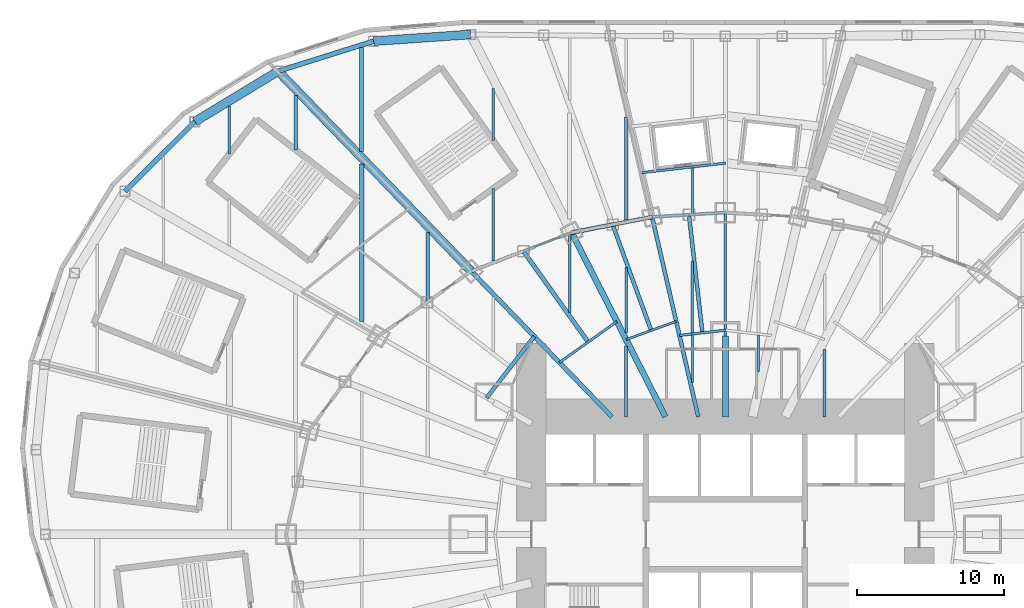
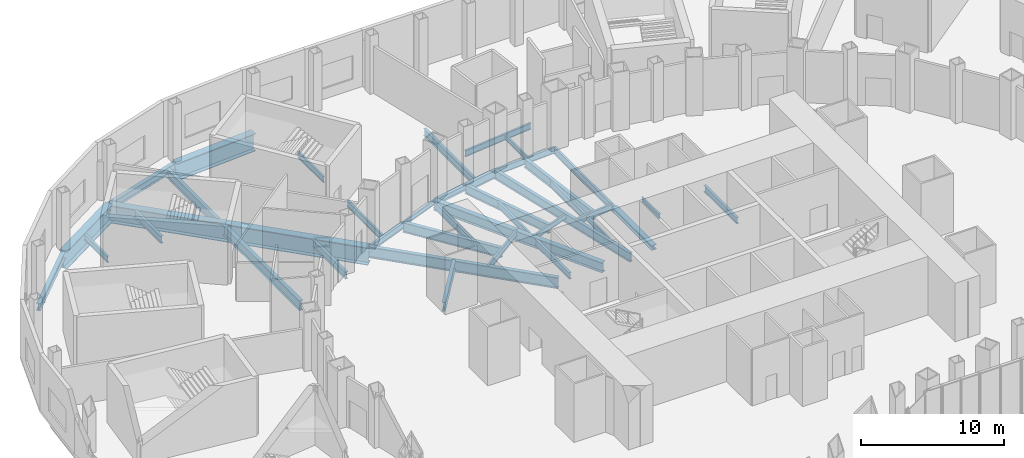
# One storey, part 6 of 73: 40 beams.
"""IFC4 building model written with IfcOpenShell, lengths in metres."""

from ifc_helpers import new_model, si_unit, direction, frame, origin, origin_2d, place, context, subcontext, project, spatial, i_section, extrude, material, material_profile, profile_set, type_object, element, save


model = new_model("IFC4")

# Units and contexts
model_context = context("Model", 3, precision=1e-05, world=origin(), true_north=direction((0.0, 1.0)))
body_context = subcontext(model_context, "Body", "Model", "MODEL_VIEW")
ifc_project = project(units=[si_unit("LENGTHUNIT", "METRE"), si_unit("AREAUNIT", "SQUARE_METRE"), si_unit("VOLUMEUNIT", "CUBIC_METRE"), si_unit("PLANEANGLEUNIT", "RADIAN"), si_unit("MASSUNIT", "GRAM", prefix="KILO")], contexts=[model_context])

# Site, building, storey
site_placement = place(None, origin())
site = spatial("IfcSite", under=ifc_project, at=site_placement, CompositionType="ELEMENT")
building_placement = place(site_placement, origin())
building = spatial("IfcBuilding", under=site, at=building_placement, Name="Lantaw Convention Tower", CompositionType="ELEMENT")
storey_placement = place(building_placement, frame((0.0, 0.0, 22.0)))
storey = spatial("IfcBuildingStorey", under=building, at=storey_placement, Name="L03", CompositionType="ELEMENT", Elevation=22.0)

# Beams
ifc_material_1 = material(Name="Steel ASTM A572 Grade 50", Category="steel")
ifc_material_profile_1 = material_profile(ifc_material_1, i_section(OverallWidth=0.60009765625, OverallDepth=1.5, WebThickness=0.02490234375, FlangeThickness=0.06005859375, at=origin_2d()), Name="PG1500X600X25X60")
ifc_profile_set_1 = profile_set([ifc_material_profile_1], Name="Steel ASTM A572 Grade 50")
beam_type_1 = type_object("IfcBeamType", Name="Beam E PG1500X600X25X60", PredefinedType="SPANDREL", material=ifc_profile_set_1)
beam_1_placement = place(storey_placement, frame((-17.333984375, 34.019775390625, -0.949951171875), z_axis=(-0.997615470709, -0.069017190627, 0.0), x_axis=(0.069017190627, -0.997615470709, 0.0)))
element("IfcBeam", 1, at=beam_1_placement, inside=storey, type_object=beam_type_1, Name="Podium edge beam R08", PredefinedType="SPANDREL", context=body_context, shape_type="SweptSolid", body=[
    extrude(i_section(OverallWidth=0.60009765625, OverallDepth=1.5, WebThickness=0.02490234375, FlangeThickness=0.06005859375, at=origin_2d()), origin(), (0.0, 0.0, 1.0), 6.6220703125),
])
beam_2_placement = place(storey_placement, frame((-30.43603515625, 31.517578125, -0.949951171875), z_axis=(-0.855269526547, -0.518183400893, 0.0), x_axis=(0.518183400893, -0.855269526547, 0.0)))
element("IfcBeam", 2, at=beam_2_placement, inside=storey, type_object=beam_type_1, Name="Podium edge beam R09", PredefinedType="SPANDREL", context=body_context, shape_type="SweptSolid", body=[
    extrude(i_section(OverallWidth=0.60009765625, OverallDepth=1.5, WebThickness=0.02490234375, FlangeThickness=0.06005859375, at=origin_2d()), origin(), (0.0, 0.0, 1.0), 6.63134765625),
])
ifc_material_2 = material(Name="Steel ASTM A992", Category="steel")
ifc_material_profile_2 = material_profile(ifc_material_2, i_section(OverallWidth=0.140380859375, OverallDepth=0.40380859375, WebThickness=0.007080078125, FlangeThickness=0.01123046875, FilletRadius=0.01025390625, at=origin_2d()), Name="W16X31")
ifc_profile_set_2 = profile_set([ifc_material_profile_2], Name="Steel ASTM A992")
beam_type_2 = type_object("IfcBeamType", Name="Beam E W16X31", PredefinedType="SPANDREL", material=ifc_profile_set_2)
beam_3_placement = place(storey_placement, frame((-10.462646484375, 20.533935546875, -0.40185546875), z_axis=(-0.933241815012, -0.359248820058, 0.0), x_axis=(0.359248820058, -0.933241815012, 0.0)))
element("IfcBeam", 3, at=beam_3_placement, inside=storey, type_object=beam_type_2, Name="Edge beam 9", PredefinedType="SPANDREL", context=body_context, shape_type="SweptSolid", body=[
    extrude(i_section(OverallWidth=0.140380859375, OverallDepth=0.40380859375, WebThickness=0.007080078125, FlangeThickness=0.01123046875, FilletRadius=0.01025390625, at=origin_2d()), origin(), (0.0, 0.0, 1.0), 3.517578125),
])
ifc_material_profile_3 = material_profile(ifc_material_2, i_section(OverallWidth=0.279296875, OverallDepth=0.462158203125, WebThickness=0.0107421875, FlangeThickness=0.017333984375, FilletRadius=0.01025390625, at=origin_2d()), Name="W18X76")
ifc_profile_set_3 = profile_set([ifc_material_profile_3], Name="Steel ASTM A992")
beam_type_3 = type_object("IfcBeamType", Name="Beam E W18X76", PredefinedType="SPANDREL", material=ifc_profile_set_3)
beam_4_placement = place(storey_placement, frame((-7.671142578125, 21.076416015625, -0.43115234375), z_axis=(-0.98163593748, -0.190763954266, 0.0), x_axis=(0.190763954266, -0.98163593748, 0.0)))
element("IfcBeam", 4, at=beam_4_placement, inside=storey, type_object=beam_type_3, Name="Edge beam 8", PredefinedType="SPANDREL", context=body_context, shape_type="SweptSolid", body=[
    extrude(i_section(OverallWidth=0.279296875, OverallDepth=0.462158203125, WebThickness=0.0107421875, FlangeThickness=0.017333984375, FilletRadius=0.01025390625, at=origin_2d()), origin(), (0.0, 0.0, 1.0), 2.84375),
])
ifc_material_profile_4 = material_profile(ifc_material_2, i_section(OverallWidth=0.16650390625, OverallDepth=0.535888671875, WebThickness=0.01025390625, FlangeThickness=0.0166015625, FilletRadius=0.0126953125, at=origin_2d()), Name="W21X57")
ifc_profile_set_4 = profile_set([ifc_material_profile_4], Name="Steel ASTM A992")
beam_type_4 = type_object("IfcBeamType", Name="Beam E W21X57", PredefinedType="SPANDREL", material=ifc_profile_set_4)
beam_5_placement = place(storey_placement, frame((0.0, 21.89990234375, -0.468017578125), z_axis=(-0.998175328335, -0.060382231685, 0.0), x_axis=(0.060382231685, -0.998175328335, 0.0)))
element("IfcBeam", 5, at=beam_5_placement, inside=storey, type_object=beam_type_4, Name="Edge beam 7", PredefinedType="SPANDREL", context=body_context, shape_type="SweptSolid", body=[
    extrude(i_section(OverallWidth=0.16650390625, OverallDepth=0.535888671875, WebThickness=0.01025390625, FlangeThickness=0.0166015625, FilletRadius=0.0126953125, at=origin_2d()), origin(), (0.0, 0.0, 1.0), 2.482666015625),
])
beam_6_placement = place(storey_placement, frame((-2.47802734375, 21.75, -0.468017578125), z_axis=(-0.998172405641, -0.060430527186, 0.0), x_axis=(0.060430527186, -0.998172405641, 0.0)))
element("IfcBeam", 6, at=beam_6_placement, inside=storey, type_object=beam_type_4, Name="Edge beam 7", PredefinedType="SPANDREL", context=body_context, shape_type="SweptSolid", body=[
    extrude(i_section(OverallWidth=0.16650390625, OverallDepth=0.535888671875, WebThickness=0.01025390625, FlangeThickness=0.0166015625, FilletRadius=0.0126953125, at=origin_2d()), origin(), (0.0, 0.0, 1.0), 2.512939453125),
])
ifc_material_profile_5 = material_profile(ifc_material_2, i_section(OverallWidth=0.2099609375, OverallDepth=0.535888671875, WebThickness=0.010986328125, FlangeThickness=0.017333984375, FilletRadius=0.012939453125, at=origin_2d()), Name="W21X68")
ifc_profile_set_5 = profile_set([ifc_material_profile_5], Name="Steel ASTM A992")
beam_type_5 = type_object("IfcBeamType", Name="Beam E W21X68", PredefinedType="SPANDREL", material=ifc_profile_set_5)
beam_7_placement = place(storey_placement, frame((-13.745361328125, 19.270263671875, -0.468017578125), z_axis=(-0.933224646415, -0.359293416754, 0.0), x_axis=(0.359293416754, -0.933224646415, 0.0)))
element("IfcBeam", 7, at=beam_7_placement, inside=storey, type_object=beam_type_5, Name="Edge beam 9", PredefinedType="SPANDREL", context=body_context, shape_type="SweptSolid", body=[
    extrude(i_section(OverallWidth=0.2099609375, OverallDepth=0.535888671875, WebThickness=0.010986328125, FlangeThickness=0.017333984375, FilletRadius=0.012939453125, at=origin_2d()), origin(), (0.0, 0.0, 1.0), 3.799072265625),
])
ifc_material_profile_6 = material_profile(ifc_material_2, i_section(OverallWidth=0.3251953125, OverallDepth=0.612060546875, WebThickness=0.0126953125, FlangeThickness=0.01904296875, FilletRadius=0.0126953125, at=origin_2d()), Name="W24X104")
ifc_profile_set_6 = profile_set([ifc_material_profile_6], Name="Steel ASTM A992")
beam_type_6 = type_object("IfcBeamType", Name="Beam E W24X104", PredefinedType="SPANDREL", material=ifc_profile_set_6)
beam_8_placement = place(storey_placement, frame((-23.940185546875, 33.562744140625, -0.506103515625), z_axis=(-0.953841834513, -0.300309431643, 0.0), x_axis=(0.300309431643, -0.953841834513, 0.0)))
element("IfcBeam", 8, at=beam_8_placement, inside=storey, type_object=beam_type_6, Name="Podium edge beam B08", PredefinedType="SPANDREL", context=body_context, shape_type="SweptSolid", body=[
    extrude(i_section(OverallWidth=0.3251953125, OverallDepth=0.612060546875, WebThickness=0.0126953125, FlangeThickness=0.01904296875, FilletRadius=0.0126953125, at=origin_2d()), origin(), (0.0, 0.0, 1.0), 6.810302734375),
])
beam_9_placement = place(storey_placement, frame((-36.107666015625, 28.081298828125, -0.506103515625), z_axis=(-0.709033046271, -0.705175254314, 0.0), x_axis=(0.705175254314, -0.709033046271, 0.0)))
element("IfcBeam", 9, at=beam_9_placement, inside=storey, type_object=beam_type_6, Name="Podium edge beam B09", PredefinedType="SPANDREL", context=body_context, shape_type="SweptSolid", body=[
    extrude(i_section(OverallWidth=0.3251953125, OverallDepth=0.612060546875, WebThickness=0.0126953125, FlangeThickness=0.01904296875, FilletRadius=0.0126953125, at=origin_2d()), origin(), (0.0, 0.0, 1.0), 6.708251953125),
])
ifc_material_profile_7 = material_profile(ifc_material_2, i_section(OverallWidth=0.256591796875, OverallDepth=0.693359375, WebThickness=0.014404296875, FlangeThickness=0.023681640625, FilletRadius=0.01513671875, at=origin_2d()), Name="W27X114")
ifc_profile_set_7 = profile_set([ifc_material_profile_7], Name="Steel ASTM A992")
beam_type_7 = type_object("IfcBeamType", Name="Beam E W27X114", PredefinedType="SPANDREL", material=ifc_profile_set_7)
beam_10_placement = place(storey_placement, frame((-4.986328125, 21.59814453125, -0.546630859375), z_axis=(-0.981637218105, -0.190757364289, 0.0), x_axis=(0.190757364289, -0.981637218105, 0.0)))
element("IfcBeam", 10, at=beam_10_placement, inside=storey, type_object=beam_type_7, Name="Edge beam 8", PredefinedType="SPANDREL", context=body_context, shape_type="SweptSolid", body=[
    extrude(i_section(OverallWidth=0.256591796875, OverallDepth=0.693359375, WebThickness=0.014404296875, FlangeThickness=0.023681640625, FilletRadius=0.01513671875, at=origin_2d()), origin(), (0.0, 0.0, 1.0), 2.735107421875),
])
ifc_material_profile_8 = material_profile(ifc_material_2, i_section(OverallWidth=0.177978515625, OverallDepth=0.599365234375, WebThickness=0.010009765625, FlangeThickness=0.012939453125, FilletRadius=0.012939453125, at=origin_2d()), Name="W24X55")
ifc_profile_set_8 = profile_set([ifc_material_profile_8], Name="Steel ASTM A992")
beam_type_8 = type_object("IfcBeamType", Name="Beam G W24X55", PredefinedType="BEAM", material=ifc_profile_set_8)
beam_11_placement = place(storey_placement, frame((0.0, 13.5, -0.499755859375), z_axis=(0.0, 1.0, 0.0), x_axis=(-1.0, 0.0, 0.0)))
element("IfcBeam", 11, at=beam_11_placement, inside=storey, type_object=beam_type_8, Name="Floor girder on ray 7", PredefinedType="BEAM", context=body_context, shape_type="SweptSolid", body=[
    extrude(i_section(OverallWidth=0.177978515625, OverallDepth=0.599365234375, WebThickness=0.010009765625, FlangeThickness=0.012939453125, FilletRadius=0.012939453125, at=origin_2d()), origin(), (0.0, 0.0, 1.0), 8.39990234375),
])
ifc_material_profile_9 = material_profile(ifc_material_2, i_section(OverallWidth=0.2666015625, OverallDepth=0.7568359375, WebThickness=0.013916015625, FlangeThickness=0.019287109375, FilletRadius=0.0126953125, at=origin_2d()), Name="W30X108")
ifc_profile_set_9 = profile_set([ifc_material_profile_9], Name="Steel ASTM A992")
beam_type_9 = type_object("IfcBeamType", Name="Beam G W30X108", PredefinedType="BEAM", material=ifc_profile_set_9)
beam_12_placement = place(storey_placement, frame((-1.5625, 13.713134765625, -0.578369140625), z_axis=(-0.113183957156, 0.993574049501, 0.0), x_axis=(-0.993574049501, -0.113183957156, 0.0)))
element("IfcBeam", 12, at=beam_12_placement, inside=storey, type_object=beam_type_9, Name="Floor girder on bisector 7", PredefinedType="BEAM", context=body_context, shape_type="SweptSolid", body=[
    extrude(i_section(OverallWidth=0.2666015625, OverallDepth=0.7568359375, WebThickness=0.013916015625, FlangeThickness=0.019287109375, FilletRadius=0.0126953125, at=origin_2d()), origin(), (0.0, 0.0, 1.0), 8.0888671875),
])
ifc_material_profile_10 = material_profile(ifc_material_2, i_section(OverallWidth=0.2666015625, OverallDepth=0.76953125, WebThickness=0.015625, FlangeThickness=0.025390625, FilletRadius=0.0126953125, at=origin_2d()), Name="W30X132")
ifc_profile_set_10 = profile_set([ifc_material_profile_10], Name="Steel ASTM A992")
beam_type_10 = type_object("IfcBeamType", Name="Beam G W30X132", PredefinedType="BEAM", material=ifc_profile_set_10)
beam_13_placement = place(storey_placement, frame((-1.846923828125, 8.0, -0.584716796875), z_axis=(-0.224952773175, 0.97436966796, 0.0), x_axis=(-0.97436966796, -0.224952773175, 0.0)))
element("IfcBeam", 13, at=beam_13_placement, inside=storey, type_object=beam_type_10, Name="Floor girder on ray 8", PredefinedType="BEAM", context=body_context, shape_type="SweptSolid", body=[
    extrude(i_section(OverallWidth=0.2666015625, OverallDepth=0.76953125, WebThickness=0.015625, FlangeThickness=0.025390625, FilletRadius=0.0126953125, at=origin_2d()), origin(), (0.0, 0.0, 1.0), 13.955810546875),
])
beam_14_placement = place(storey_placement, frame((-5.04931640625, 13.873046875, -0.584716796875), z_axis=(-0.342021781151, 0.939692024664, 0.0), x_axis=(-0.939692024664, -0.342021781151, 0.0)))
element("IfcBeam", 14, at=beam_14_placement, inside=storey, type_object=beam_type_10, Name="Floor girder on bisector 8", PredefinedType="BEAM", context=body_context, shape_type="SweptSolid", body=[
    extrude(i_section(OverallWidth=0.2666015625, OverallDepth=0.76953125, WebThickness=0.015625, FlangeThickness=0.025390625, FilletRadius=0.0126953125, at=origin_2d()), origin(), (0.0, 0.0, 1.0), 7.665771484375),
])
ifc_material_profile_11 = material_profile(ifc_material_2, i_section(OverallWidth=0.2919921875, OverallDepth=0.845703125, WebThickness=0.015380859375, FlangeThickness=0.0244140625, FilletRadius=0.01513671875, at=origin_2d()), Name="W33X141")
ifc_profile_set_11 = profile_set([ifc_material_profile_11], Name="Steel ASTM A992")
beam_type_11 = type_object("IfcBeamType", Name="Beam G W33X141", PredefinedType="BEAM", material=ifc_profile_set_11)
beam_15_placement = place(storey_placement, frame((-9.335693359375, 13.088134765625, -0.622802734375), z_axis=(-0.580702805158, 0.814115625745, 0.0), x_axis=(-0.814115625745, -0.580702805158, 0.0)))
element("IfcBeam", 15, at=beam_15_placement, inside=storey, type_object=beam_type_11, Name="Floor girder on bisector 9", PredefinedType="BEAM", context=body_context, shape_type="SweptSolid", body=[
    extrude(i_section(OverallWidth=0.2919921875, OverallDepth=0.845703125, WebThickness=0.015380859375, FlangeThickness=0.0244140625, FilletRadius=0.01513671875, at=origin_2d()), origin(), (0.0, 0.0, 1.0), 7.59375),
])
ifc_material_profile_12 = material_profile(ifc_material_2, i_section(OverallWidth=0.398681640625, OverallDepth=0.85595703125, WebThickness=0.01806640625, FlangeThickness=0.029296875, FilletRadius=0.016357421875, at=origin_2d()), Name="W33X201")
ifc_profile_set_12 = profile_set([ifc_material_profile_12], Name="Steel ASTM A992")
beam_type_12 = type_object("IfcBeamType", Name="Beam G W33X201", PredefinedType="BEAM", material=ifc_profile_set_12)
beam_16_placement = place(storey_placement, frame((-4.076171875, 8.0, -0.6279296875), z_axis=(-0.453997016122, 0.891003203896, 0.0), x_axis=(-0.891003203896, -0.453997016122, 0.0)))
element("IfcBeam", 16, at=beam_16_placement, inside=storey, type_object=beam_type_12, Name="Floor girder on ray 9", PredefinedType="BEAM", context=body_context, shape_type="SweptSolid", body=[
    extrude(i_section(OverallWidth=0.398681640625, OverallDepth=0.85595703125, WebThickness=0.01806640625, FlangeThickness=0.029296875, FilletRadius=0.016357421875, at=origin_2d()), origin(), (0.0, 0.0, 1.0), 14.067138671875),
])
ifc_material_profile_13 = material_profile(ifc_material_2, i_section(OverallWidth=0.307373046875, OverallDepth=0.9423828125, WebThickness=0.022216796875, FlangeThickness=0.039794921875, FilletRadius=0.0126953125, at=origin_2d()), Name="W36X232")
ifc_profile_set_13 = profile_set([ifc_material_profile_13], Name="Steel ASTM A992")
beam_type_13 = type_object("IfcBeamType", Name="Beam G W36X232", PredefinedType="BEAM", material=ifc_profile_set_13)
beam_17_placement = place(storey_placement, frame((-7.7255859375, 8.0, -0.671142578125), z_axis=(-0.694649884291, 0.719347995239, 0.0), x_axis=(-0.719347995239, -0.694649884291, 0.0)))
element("IfcBeam", 17, at=beam_17_placement, inside=storey, type_object=beam_type_13, Name="Floor girder on ray 10", PredefinedType="BEAM", context=body_context, shape_type="SweptSolid", body=[
    extrude(i_section(OverallWidth=0.307373046875, OverallDepth=0.9423828125, WebThickness=0.022216796875, FlangeThickness=0.039794921875, FilletRadius=0.0126953125, at=origin_2d()), origin(), (0.0, 0.0, 1.0), 13.769775390625),
])
ifc_material_profile_14 = material_profile(ifc_material_2, i_section(OverallWidth=0.40380859375, OverallDepth=0.406494140625, WebThickness=0.027099609375, FlangeThickness=0.043701171875, FilletRadius=0.01513671875, at=origin_2d()), Name="W14X233")
ifc_profile_set_14 = profile_set([ifc_material_profile_14], Name="Steel ASTM A992")
beam_type_14 = type_object("IfcBeamType", Name="Beam GM W14X233", PredefinedType="BEAM", material=ifc_profile_set_14)
beam_18_placement = place(storey_placement, frame((0.0, 8.0, -0.4033203125), z_axis=(0.0, 1.0, 0.0), x_axis=(-1.0, 0.0, 0.0)))
element("IfcBeam", 18, at=beam_18_placement, inside=storey, type_object=beam_type_14, Name="Core link beam on ray 7", PredefinedType="BEAM", context=body_context, shape_type="SweptSolid", body=[
    extrude(i_section(OverallWidth=0.40380859375, OverallDepth=0.406494140625, WebThickness=0.027099609375, FlangeThickness=0.043701171875, FilletRadius=0.01513671875, at=origin_2d()), origin(), (0.0, 0.0, 1.0), 5.5),
])
ifc_material_profile_15 = material_profile(ifc_material_2, i_section(OverallWidth=0.15234375, OverallDepth=0.449462890625, WebThickness=0.007568359375, FlangeThickness=0.0107421875, FilletRadius=0.01025390625, at=origin_2d()), Name="W18X35")
ifc_profile_set_15 = profile_set([ifc_material_profile_15], Name="Steel ASTM A992")
beam_type_15 = type_object("IfcBeamType", Name="Beam HC W18X35", PredefinedType="BEAM", material=ifc_profile_set_15)
beam_19_placement = place(storey_placement, frame((-3.345947265625, 14.4931640625, -0.4248046875), z_axis=(-0.939689171859, -0.342029619025, 0.0), x_axis=(0.342029619025, -0.939689171859, 0.0)))
element("IfcBeam", 19, at=beam_19_placement, inside=storey, type_object=beam_type_15, Name="Collar beam on bisector 8", PredefinedType="BEAM", context=body_context, shape_type="SweptSolid", body=[
    extrude(i_section(OverallWidth=0.15234375, OverallDepth=0.449462890625, WebThickness=0.007568359375, FlangeThickness=0.0107421875, FilletRadius=0.01025390625, at=origin_2d()), origin(), (0.0, 0.0, 1.0), 3.62548828125),
])
ifc_material_profile_16 = material_profile(ifc_material_2, i_section(OverallWidth=0.1650390625, OverallDepth=0.52587890625, WebThickness=0.0087890625, FlangeThickness=0.011474609375, FilletRadius=0.0126953125, at=origin_2d()), Name="W21X44")
ifc_profile_set_16 = profile_set([ifc_material_profile_16], Name="Steel ASTM A992")
beam_type_16 = type_object("IfcBeamType", Name="Beam HC W21X44", PredefinedType="BEAM", material=ifc_profile_set_16)
beam_20_placement = place(storey_placement, frame((-7.379638671875, 14.4833984375, -0.462890625), z_axis=(-0.814110909588, -0.580709416912, 0.0), x_axis=(0.580709416912, -0.814110909588, 0.0)))
element("IfcBeam", 20, at=beam_20_placement, inside=storey, type_object=beam_type_16, Name="Collar beam on bisector 9", PredefinedType="BEAM", context=body_context, shape_type="SweptSolid", body=[
    extrude(i_section(OverallWidth=0.1650390625, OverallDepth=0.52587890625, WebThickness=0.0087890625, FlangeThickness=0.011474609375, FilletRadius=0.0126953125, at=origin_2d()), origin(), (0.0, 0.0, 1.0), 4.805419921875),
])
ifc_material_profile_17 = material_profile(ifc_material_2, i_section(OverallWidth=0.165771484375, OverallDepth=0.5283203125, WebThickness=0.009765625, FlangeThickness=0.013671875, FilletRadius=0.012939453125, at=origin_2d()), Name="W21X50")
ifc_profile_set_17 = profile_set([ifc_material_profile_17], Name="Steel ASTM A992")
beam_type_17 = type_object("IfcBeamType", Name="Beam HC W21X50", PredefinedType="BEAM", material=ifc_profile_set_17)
beam_21_placement = place(storey_placement, frame((0.0, 13.89111328125, -0.464111328125), z_axis=(-0.99356540907, -0.113259780595, 0.0), x_axis=(0.113259780595, -0.99356540907, 0.0)))
element("IfcBeam", 21, at=beam_21_placement, inside=storey, type_object=beam_type_17, Name="Collar beam on bisector 7", PredefinedType="BEAM", context=body_context, shape_type="SweptSolid", body=[
    extrude(i_section(OverallWidth=0.165771484375, OverallDepth=0.5283203125, WebThickness=0.009765625, FlangeThickness=0.013671875, FilletRadius=0.012939453125, at=origin_2d()), origin(), (0.0, 0.0, 1.0), 3.14501953125),
])
ifc_material_profile_18 = material_profile(ifc_material_2, i_section(OverallWidth=0.2666015625, OverallDepth=0.7568359375, WebThickness=0.013916015625, FlangeThickness=0.019287109375, FilletRadius=0.0126953125, at=origin_2d()), Name="W30X108")
ifc_profile_set_18 = profile_set([ifc_material_profile_18], Name="Steel ASTM A992")
beam_type_18 = type_object("IfcBeamType", Name="Beam HC W30X108", PredefinedType="BEAM", material=ifc_profile_set_18)
beam_22_placement = place(storey_placement, frame((-13.00341796875, 13.465576171875, -0.578369140625), z_axis=(-0.613915067401, -0.789372085913, 0.0), x_axis=(0.789372085913, -0.613915067401, 0.0)))
element("IfcBeam", 22, at=beam_22_placement, inside=storey, type_object=beam_type_18, Name="Collar beam on bisector 10", PredefinedType="BEAM", context=body_context, shape_type="SweptSolid", body=[
    extrude(i_section(OverallWidth=0.2666015625, OverallDepth=0.7568359375, WebThickness=0.013916015625, FlangeThickness=0.019287109375, FilletRadius=0.0126953125, at=origin_2d()), origin(), (0.0, 0.0, 1.0), 5.293212890625),
])
ifc_material_profile_19 = material_profile(ifc_material_2, i_section(OverallWidth=0.140380859375, OverallDepth=0.40380859375, WebThickness=0.007080078125, FlangeThickness=0.01123046875, FilletRadius=0.01025390625, at=origin_2d()), Name="W16X31")
ifc_profile_set_19 = profile_set([ifc_material_profile_19], Name="Steel ASTM A992")
beam_type_19 = type_object("IfcBeamType", Name="Beam J W16X31", PredefinedType="JOIST", material=ifc_profile_set_19)
beam_23_placement = place(storey_placement, frame((-2.25, 10.338623046875, -0.40185546875), z_axis=(0.0, 1.0, 0.0), x_axis=(-1.0, 0.0, 0.0)))
element("IfcBeam", 23, at=beam_23_placement, inside=storey, type_object=beam_type_19, Name="Floor joist", PredefinedType="JOIST", context=body_context, shape_type="SweptSolid", body=[
    extrude(i_section(OverallWidth=0.140380859375, OverallDepth=0.40380859375, WebThickness=0.007080078125, FlangeThickness=0.01123046875, FilletRadius=0.01025390625, at=origin_2d()), origin(), (0.0, 0.0, 1.0), 3.212646484375),
])
beam_24_placement = place(storey_placement, frame((-2.25, 21.84716796875, -0.40185546875), z_axis=(0.0, 1.0, 0.0), x_axis=(-1.0, 0.0, 0.0)))
element("IfcBeam", 24, at=beam_24_placement, inside=storey, type_object=beam_type_19, Name="Floor joist", PredefinedType="JOIST", context=body_context, shape_type="SweptSolid", body=[
    extrude(i_section(OverallWidth=0.140380859375, OverallDepth=0.40380859375, WebThickness=0.007080078125, FlangeThickness=0.01123046875, FilletRadius=0.01025390625, at=origin_2d()), origin(), (0.0, 0.0, 1.0), 3.07568359375),
])
beam_25_placement = place(storey_placement, frame((2.25, 11.079345703125, -0.40185546875), z_axis=(0.0, 1.0, 0.0), x_axis=(-1.0, 0.0, 0.0)))
element("IfcBeam", 25, at=beam_25_placement, inside=storey, type_object=beam_type_19, Name="Floor joist", PredefinedType="JOIST", context=body_context, shape_type="SweptSolid", body=[
    extrude(i_section(OverallWidth=0.140380859375, OverallDepth=0.40380859375, WebThickness=0.007080078125, FlangeThickness=0.01123046875, FilletRadius=0.01025390625, at=origin_2d()), origin(), (0.0, 0.0, 1.0), 2.471923828125),
])
ifc_material_profile_20 = material_profile(ifc_material_2, i_section(OverallWidth=0.1650390625, OverallDepth=0.52587890625, WebThickness=0.0087890625, FlangeThickness=0.011474609375, FilletRadius=0.0126953125, at=origin_2d()), Name="W21X44")
ifc_profile_set_20 = profile_set([ifc_material_profile_20], Name="Steel ASTM A992")
beam_type_20 = type_object("IfcBeamType", Name="Beam J W21X44", PredefinedType="JOIST", material=ifc_profile_set_20)
beam_26_placement = place(storey_placement, frame((-33.75, 25.900390625, -0.462890625), z_axis=(0.0, 1.0, 0.0), x_axis=(-1.0, 0.0, 0.0)))
element("IfcBeam", 26, at=beam_26_placement, inside=storey, type_object=beam_type_20, Name="Floor joist", PredefinedType="JOIST", context=body_context, shape_type="SweptSolid", body=[
    extrude(i_section(OverallWidth=0.1650390625, OverallDepth=0.52587890625, WebThickness=0.0087890625, FlangeThickness=0.011474609375, FilletRadius=0.0126953125, at=origin_2d()), origin(), (0.0, 0.0, 1.0), 3.258544921875),
])
beam_27_placement = place(storey_placement, frame((-6.75, 13.693359375, -0.462890625), z_axis=(0.0, 1.0, 0.0), x_axis=(-1.0, 0.0, 0.0)))
element("IfcBeam", 27, at=beam_27_placement, inside=storey, type_object=beam_type_20, Name="Floor joist", PredefinedType="JOIST", context=body_context, shape_type="SweptSolid", body=[
    extrude(i_section(OverallWidth=0.1650390625, OverallDepth=0.52587890625, WebThickness=0.0087890625, FlangeThickness=0.011474609375, FilletRadius=0.0126953125, at=origin_2d()), origin(), (0.0, 0.0, 1.0), 4.462158203125),
])
ifc_material_profile_21 = material_profile(ifc_material_2, i_section(OverallWidth=0.165771484375, OverallDepth=0.5283203125, WebThickness=0.009765625, FlangeThickness=0.013671875, FilletRadius=0.012939453125, at=origin_2d()), Name="W21X50")
ifc_profile_set_21 = profile_set([ifc_material_profile_21], Name="Steel ASTM A992")
beam_type_21 = type_object("IfcBeamType", Name="Beam J W21X50", PredefinedType="JOIST", material=ifc_profile_set_21)
beam_28_placement = place(storey_placement, frame((-15.800048828125, 18.591552734375, -0.464111328125), z_axis=(0.0, 1.0, 0.0), x_axis=(-1.0, 0.0, 0.0)))
element("IfcBeam", 28, at=beam_28_placement, inside=storey, type_object=beam_type_21, Name="Floor joist", PredefinedType="JOIST", context=body_context, shape_type="SweptSolid", body=[
    extrude(i_section(OverallWidth=0.165771484375, OverallDepth=0.5283203125, WebThickness=0.009765625, FlangeThickness=0.013671875, FilletRadius=0.012939453125, at=origin_2d()), origin(), (0.0, 0.0, 1.0), 4.93212890625),
])
beam_29_placement = place(storey_placement, frame((-15.800048828125, 26.80029296875, -0.464111328125), z_axis=(0.0, 1.0, 0.0), x_axis=(-1.0, 0.0, 0.0)))
element("IfcBeam", 29, at=beam_29_placement, inside=storey, type_object=beam_type_21, Name="Floor joist", PredefinedType="JOIST", context=body_context, shape_type="SweptSolid", body=[
    extrude(i_section(OverallWidth=0.165771484375, OverallDepth=0.5283203125, WebThickness=0.009765625, FlangeThickness=0.013671875, FilletRadius=0.012939453125, at=origin_2d()), origin(), (0.0, 0.0, 1.0), 3.548095703125),
])
ifc_material_profile_22 = material_profile(ifc_material_2, i_section(OverallWidth=0.2099609375, OverallDepth=0.535888671875, WebThickness=0.010986328125, FlangeThickness=0.017333984375, FilletRadius=0.012939453125, at=origin_2d()), Name="W21X68")
ifc_profile_set_22 = profile_set([ifc_material_profile_22], Name="Steel ASTM A992")
beam_type_22 = type_object("IfcBeamType", Name="Beam J W21X68", PredefinedType="JOIST", material=ifc_profile_set_22)
beam_30_placement = place(storey_placement, frame((-6.75, 8.0, -0.468017578125), z_axis=(0.0, 1.0, 0.0), x_axis=(-1.0, 0.0, 0.0)))
element("IfcBeam", 30, at=beam_30_placement, inside=storey, type_object=beam_type_22, Name="Floor joist", PredefinedType="JOIST", context=body_context, shape_type="SweptSolid", body=[
    extrude(i_section(OverallWidth=0.2099609375, OverallDepth=0.535888671875, WebThickness=0.010986328125, FlangeThickness=0.017333984375, FilletRadius=0.012939453125, at=origin_2d()), origin(), (0.0, 0.0, 1.0), 4.808349609375),
])
beam_31_placement = place(storey_placement, frame((6.75, 8.0, -0.468017578125), z_axis=(0.0, 1.0, 0.0), x_axis=(-1.0, 0.0, 0.0)))
element("IfcBeam", 31, at=beam_31_placement, inside=storey, type_object=beam_type_22, Name="Floor joist", PredefinedType="JOIST", context=body_context, shape_type="SweptSolid", body=[
    extrude(i_section(OverallWidth=0.2099609375, OverallDepth=0.535888671875, WebThickness=0.010986328125, FlangeThickness=0.017333984375, FilletRadius=0.012939453125, at=origin_2d()), origin(), (0.0, 0.0, 1.0), 4.5869140625),
])
ifc_material_profile_23 = material_profile(ifc_material_2, i_section(OverallWidth=0.177978515625, OverallDepth=0.599365234375, WebThickness=0.010009765625, FlangeThickness=0.012939453125, FilletRadius=0.012939453125, at=origin_2d()), Name="W24X55")
ifc_profile_set_23 = profile_set([ifc_material_profile_23], Name="Steel ASTM A992")
beam_type_23 = type_object("IfcBeamType", Name="Beam J W24X55", PredefinedType="JOIST", material=ifc_profile_set_23)
beam_32_placement = place(storey_placement, frame((-10.60009765625, 15.112060546875, -0.499755859375), z_axis=(0.0, 1.0, 0.0), x_axis=(-1.0, 0.0, 0.0)))
element("IfcBeam", 32, at=beam_32_placement, inside=storey, type_object=beam_type_23, Name="Floor joist", PredefinedType="JOIST", context=body_context, shape_type="SweptSolid", body=[
    extrude(i_section(OverallWidth=0.177978515625, OverallDepth=0.599365234375, WebThickness=0.010009765625, FlangeThickness=0.012939453125, FilletRadius=0.012939453125, at=origin_2d()), origin(), (0.0, 0.0, 1.0), 5.293701171875),
])
beam_33_placement = place(storey_placement, frame((-2.25, 13.71826171875, -0.499755859375), z_axis=(0.0, 1.0, 0.0), x_axis=(-1.0, 0.0, 0.0)))
element("IfcBeam", 33, at=beam_33_placement, inside=storey, type_object=beam_type_23, Name="Floor joist", PredefinedType="JOIST", context=body_context, shape_type="SweptSolid", body=[
    extrude(i_section(OverallWidth=0.177978515625, OverallDepth=0.599365234375, WebThickness=0.010009765625, FlangeThickness=0.012939453125, FilletRadius=0.012939453125, at=origin_2d()), origin(), (0.0, 0.0, 1.0), 4.851806640625),
])
ifc_material_profile_24 = material_profile(ifc_material_2, i_section(OverallWidth=0.22900390625, OverallDepth=0.612060546875, WebThickness=0.011962890625, FlangeThickness=0.01953125, FilletRadius=0.0126953125, at=origin_2d()), Name="W24X84")
ifc_profile_set_24 = profile_set([ifc_material_profile_24], Name="Steel ASTM A992")
beam_type_24 = type_object("IfcBeamType", Name="Beam J W24X84", PredefinedType="JOIST", material=ifc_profile_set_24)
beam_34_placement = place(storey_placement, frame((-29.25, 26.16845703125, -0.506103515625), z_axis=(0.0, 1.0, 0.0), x_axis=(-1.0, 0.0, 0.0)))
element("IfcBeam", 34, at=beam_34_placement, inside=storey, type_object=beam_type_24, Name="Floor joist", PredefinedType="JOIST", context=body_context, shape_type="SweptSolid", body=[
    extrude(i_section(OverallWidth=0.22900390625, OverallDepth=0.612060546875, WebThickness=0.011962890625, FlangeThickness=0.01953125, FilletRadius=0.0126953125, at=origin_2d()), origin(), (0.0, 0.0, 1.0), 3.68896484375),
])
beam_35_placement = place(storey_placement, frame((-20.25, 15.9208984375, -0.506103515625), z_axis=(0.0, 1.0, 0.0), x_axis=(-1.0, 0.0, 0.0)))
element("IfcBeam", 35, at=beam_35_placement, inside=storey, type_object=beam_type_24, Name="Floor joist", PredefinedType="JOIST", context=body_context, shape_type="SweptSolid", body=[
    extrude(i_section(OverallWidth=0.22900390625, OverallDepth=0.612060546875, WebThickness=0.011962890625, FlangeThickness=0.01953125, FilletRadius=0.0126953125, at=origin_2d()), origin(), (0.0, 0.0, 1.0), 4.61669921875),
])
beam_36_placement = place(storey_placement, frame((-6.75, 21.385986328125, -0.506103515625), z_axis=(0.0, 1.0, 0.0), x_axis=(-1.0, 0.0, 0.0)))
element("IfcBeam", 36, at=beam_36_placement, inside=storey, type_object=beam_type_24, Name="Floor joist", PredefinedType="JOIST", context=body_context, shape_type="SweptSolid", body=[
    extrude(i_section(OverallWidth=0.22900390625, OverallDepth=0.612060546875, WebThickness=0.011962890625, FlangeThickness=0.01953125, FilletRadius=0.0126953125, at=origin_2d()), origin(), (0.0, 0.0, 1.0), 7.004638671875),
])
ifc_material_profile_25 = material_profile(ifc_material_2, i_section(OverallWidth=0.2666015625, OverallDepth=0.7568359375, WebThickness=0.013916015625, FlangeThickness=0.019287109375, FilletRadius=0.0126953125, at=origin_2d()), Name="W30X108")
ifc_profile_set_25 = profile_set([ifc_material_profile_25], Name="Steel ASTM A992")
beam_type_25 = type_object("IfcBeamType", Name="Beam J W30X108", PredefinedType="JOIST", material=ifc_profile_set_25)
beam_37_placement = place(storey_placement, frame((-24.75, 26.061279296875, -0.578369140625), z_axis=(0.0, 1.0, 0.0), x_axis=(-1.0, 0.0, 0.0)))
element("IfcBeam", 37, at=beam_37_placement, inside=storey, type_object=beam_type_25, Name="Floor joist", PredefinedType="JOIST", context=body_context, shape_type="SweptSolid", body=[
    extrude(i_section(OverallWidth=0.2666015625, OverallDepth=0.7568359375, WebThickness=0.013916015625, FlangeThickness=0.019287109375, FilletRadius=0.0126953125, at=origin_2d()), origin(), (0.0, 0.0, 1.0), 7.076171875),
])
ifc_material_profile_26 = material_profile(ifc_material_2, i_section(OverallWidth=0.2919921875, OverallDepth=0.845703125, WebThickness=0.015380859375, FlangeThickness=0.0244140625, FilletRadius=0.01513671875, at=origin_2d()), Name="W33X141")
ifc_profile_set_26 = profile_set([ifc_material_profile_26], Name="Steel ASTM A992")
beam_type_26 = type_object("IfcBeamType", Name="Beam J W33X141", PredefinedType="JOIST", material=ifc_profile_set_26)
beam_38_placement = place(storey_placement, frame((-24.75, 14.48828125, -0.622802734375), z_axis=(0.0, 1.0, 0.0), x_axis=(-1.0, 0.0, 0.0)))
element("IfcBeam", 38, at=beam_38_placement, inside=storey, type_object=beam_type_26, Name="Floor joist", PredefinedType="JOIST", context=body_context, shape_type="SweptSolid", body=[
    extrude(i_section(OverallWidth=0.2919921875, OverallDepth=0.845703125, WebThickness=0.015380859375, FlangeThickness=0.0244140625, FilletRadius=0.01513671875, at=origin_2d()), origin(), (0.0, 0.0, 1.0), 10.709228515625),
])
ifc_material_profile_27 = material_profile(ifc_material_1, i_section(OverallWidth=0.60009765625, OverallDepth=1.5, WebThickness=0.02490234375, FlangeThickness=0.06005859375, at=origin_2d()), Name="PG1500X600X25X60")
ifc_profile_set_27 = profile_set([ifc_material_profile_27], Name="Steel ASTM A572 Grade 50")
beam_type_27 = type_object("IfcBeamType", Name="Beam PG PG1500X600X25X60", PredefinedType="BEAM", material=ifc_profile_set_27)
beam_39_placement = place(storey_placement, frame((-17.290771484375, 17.9052734375, -0.949951171875), z_axis=(-0.694658748795, 0.719339434984, 0.0), x_axis=(-0.719339434984, -0.694658748795, 0.0)))
element("IfcBeam", 39, at=beam_39_placement, inside=storey, type_object=beam_type_27, Name="Podium girder PR10", PredefinedType="BEAM", context=body_context, shape_type="SweptSolid", body=[
    extrude(i_section(OverallWidth=0.60009765625, OverallDepth=1.5, WebThickness=0.02490234375, FlangeThickness=0.06005859375, at=origin_2d()), origin(), (0.0, 0.0, 1.0), 18.92333984375),
])
ifc_material_profile_28 = material_profile(ifc_material_2, i_section(OverallWidth=0.1650390625, OverallDepth=0.52587890625, WebThickness=0.0087890625, FlangeThickness=0.011474609375, FilletRadius=0.0126953125, at=origin_2d()), Name="W21X44")
ifc_profile_set_28 = profile_set([ifc_material_profile_28], Name="Steel ASTM A992")
beam_type_28 = type_object("IfcBeamType", Name="Beam TR W21X44", PredefinedType="BEAM", material=ifc_profile_set_28)
beam_40_placement = place(storey_placement, frame((0.0, 25.262451171875, -0.462890625), z_axis=(-0.99357223569, -0.11319987838, 0.0), x_axis=(0.11319987838, -0.99357223569, 0.0)))
element("IfcBeam", 40, at=beam_40_placement, inside=storey, type_object=beam_type_28, Name="Opening trimmer beam", PredefinedType="BEAM", context=body_context, shape_type="SweptSolid", body=[
    extrude(i_section(OverallWidth=0.1650390625, OverallDepth=0.52587890625, WebThickness=0.0087890625, FlangeThickness=0.011474609375, FilletRadius=0.0126953125, at=origin_2d()), origin(), (0.0, 0.0, 1.0), 5.7197265625),
])

save(model, "model.ifc")
